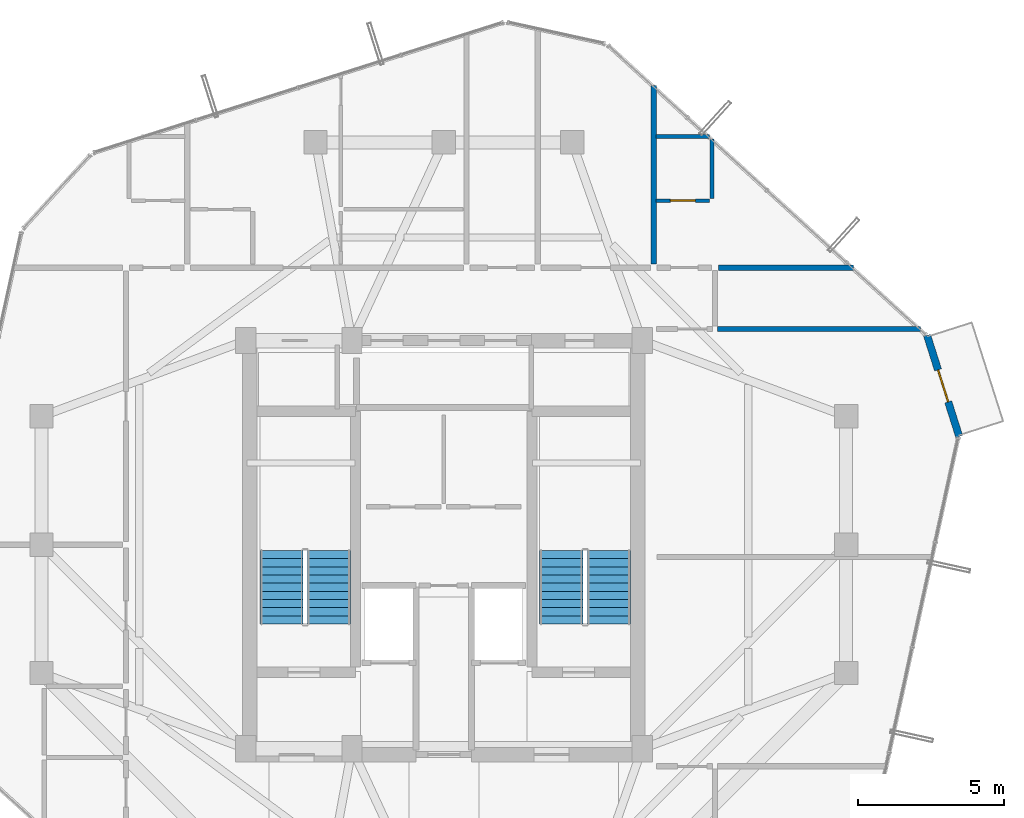
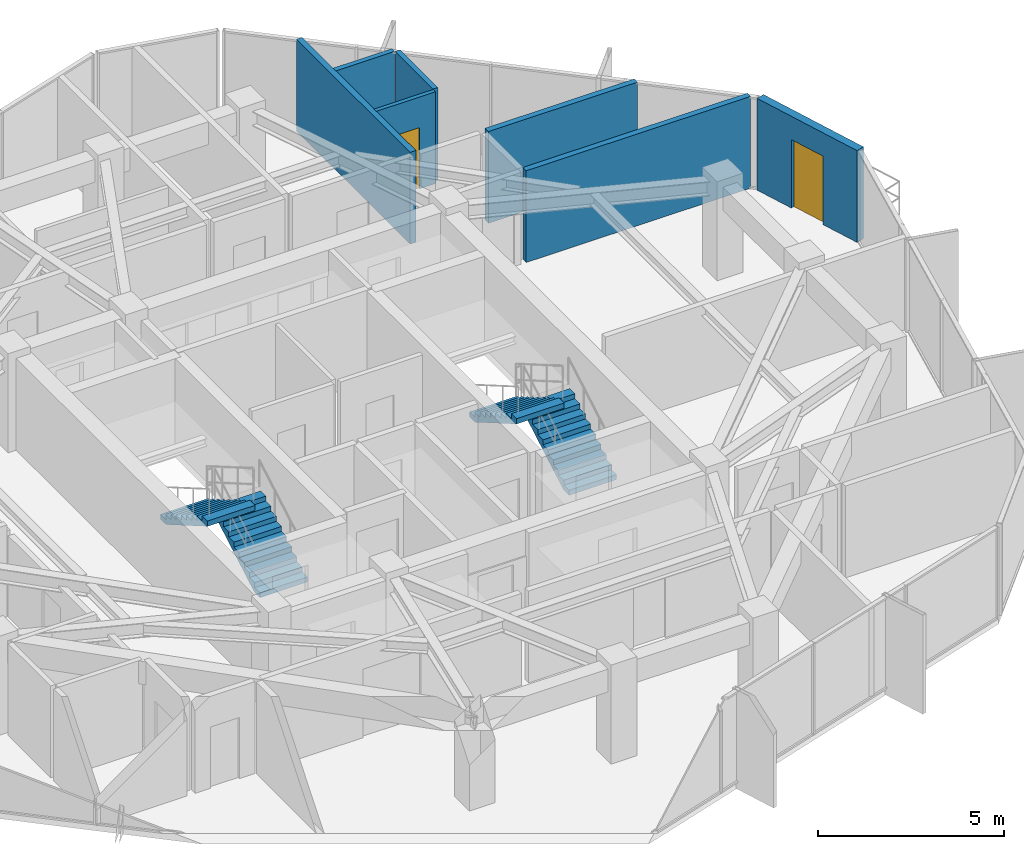
# One storey, part 26 of 28: 7 walls, 4 stair flights, 2 doors, 2 openings, 2 elements without a shape of their own.
"""IFC4 building model written with IfcOpenShell, lengths in metres."""

from ifc_helpers import new_model, si_unit, direction, frame, frame_2d, origin, place, context, subcontext, project, spatial, polyline, rectangle, outline, extrude, source, transform, mapped, material, layer, layer_set, type_object, element, fill, aggregate, save


model = new_model("IFC4")

# Units and contexts
model_context = context("Model", 3, precision=1e-05, world=origin(), true_north=direction((0.0, 1.0)))
body_context = subcontext(model_context, "Body", "Model", "MODEL_VIEW")
ifc_project = project(units=[si_unit("LENGTHUNIT", "METRE"), si_unit("AREAUNIT", "SQUARE_METRE"), si_unit("VOLUMEUNIT", "CUBIC_METRE"), si_unit("PLANEANGLEUNIT", "RADIAN"), si_unit("MASSUNIT", "GRAM", prefix="KILO")], contexts=[model_context])

# Site, building, storey
site_placement = place(None, origin())
site = spatial("IfcSite", under=ifc_project, at=site_placement, CompositionType="ELEMENT")
building_placement = place(site_placement, origin())
building = spatial("IfcBuilding", under=site, at=building_placement, Name="Veraguas Prism Commons", CompositionType="ELEMENT")
storey_placement = place(building_placement, frame((0.0, 0.0, 251.25)))
storey = spatial("IfcBuildingStorey", under=building, at=storey_placement, Name="L71", CompositionType="ELEMENT", Elevation=251.25)

# Walls
ifc_material_1 = material(Name="Autoclaved aerated masonry block 10 MPa", Category="masonry")
ifc_layer_1 = layer(ifc_material_1, 0.179931640625, Name="Corridor and Inter-Tenancy Partition 180", Category="masonry")
ifc_layer_set_1 = layer_set([ifc_layer_1], Name="Autoclaved aerated masonry block 10 MPa")
wall_type_1 = type_object("IfcWallType", Name="Corridor and Inter-Tenancy Partition 180", PredefinedType="PARTITIONING", material=ifc_layer_set_1)
wall_1_placement = place(storey_placement, frame((31.199951171875, 33.6201171875, 0.0), z_axis=(0.0, 0.0, 1.0), x_axis=(0.0, 1.0, 0.0)))
element("IfcWall", 1, at=wall_1_placement, inside=storey, type_object=wall_type_1, Name="WL-L71-PT006", PredefinedType="PARTITIONING", context=body_context, shape_type="SweptSolid", body=[
    extrude(rectangle(XDim=6.123291015625, YDim=0.179931640625, at=frame_2d((3.0615234375, 0.0))), origin(), (0.0, 0.0, 1.0), 3.014892578125),
])
wall_2_placement = place(storey_placement, frame((33.3798828125, 31.39990234375, 0.0), z_axis=(0.0, 0.0, 1.0), x_axis=(1.0, 0.0, 0.0)))
element("IfcWall", 2, at=wall_2_placement, inside=storey, type_object=wall_type_1, Name="WL-L71-PT034", PredefinedType="PARTITIONING", context=body_context, shape_type="SweptSolid", body=[
    extrude(rectangle(XDim=6.97021484375, YDim=0.179931640625, at=frame_2d((3.485107421875, 0.0))), origin(), (0.0, 0.0, 1.0), 3.014892578125),
])
wall_3_placement = place(storey_placement, frame((33.419921875, 33.5, 0.0), z_axis=(0.0, 0.0, 1.0), x_axis=(1.0, 0.0, 0.0)))
element("IfcWall", 3, at=wall_3_placement, inside=storey, type_object=wall_type_1, Name="WL-L71-PT042", PredefinedType="PARTITIONING", context=body_context, shape_type="SweptSolid", body=[
    extrude(rectangle(XDim=4.627197265625, YDim=0.179931640625, at=frame_2d((2.3134765625, 0.0))), origin(), (0.0, 0.0, 1.0), 3.014892578125),
])

# Wall, opening, door
ifc_material_2 = material(Name="Precast concrete C40/50", Category="concrete")
ifc_layer_2 = layer(ifc_material_2, 0.25, Name="External Loggia and Portal Wall 250", Category="concrete")
ifc_layer_set_2 = layer_set([ifc_layer_2], Name="Precast concrete C40/50")
wall_type_2 = type_object("IfcWallType", Name="External Loggia and Portal Wall 250", PredefinedType="SOLIDWALL", material=ifc_layer_set_2)
wall_4_placement = place(storey_placement, frame((41.678466796875, 27.71044921875, 0.0), z_axis=(0.0, 0.0, 1.0), x_axis=(-0.303026591546, 0.952982100995, 0.0)))
wall_4 = element("IfcWall", 4, at=wall_4_placement, inside=storey, type_object=wall_type_2, Name="Corner Loggia Wall L71-C1", PredefinedType="SOLIDWALL", context=body_context, shape_type="SweptSolid", body=[
    extrude(rectangle(XDim=3.642333984375, YDim=0.25, at=frame_2d((1.8212890625, 0.0))), origin(), (0.0, 0.0, 1.0), 3.014892578125),
])
opening_1_placement = place(wall_4_placement, frame((1.24609375, 0.0, 0.0)))
opening_1 = element("IfcOpeningElement", 5, at=opening_1_placement, cuts=wall_4, Name="Opening DR-10", PredefinedType="OPENING", context=body_context, shape_type="SweptSolid", body=[
    extrude(rectangle(XDim=1.14990234375, YDim=2.25, at=frame_2d((0.574951171875, 1.125))), frame((0.0, 0.135009765625, 0.0), z_axis=(0.0, -1.0, 0.0), x_axis=(1.0, 0.0, 0.0)), (0.0, 0.0, 1.0), 0.27001953125),
])
ifc_material_3 = material(Name="Anodised aluminium EN AW-6063 T6", Category="aluminium")
door_type_1 = type_object("IfcDoorType", Name="Glazed Loggia and Terrace Door 1150x2250", OperationType="NOTDEFINED", PredefinedType="DOOR", material=ifc_material_3)
shared_shape_1 = source(origin(), body_context, "Body", "SweptSolid", [
    extrude(rectangle(XDim=1.14990234375, YDim=2.25, at=frame_2d((0.574951171875, 1.125))), frame((0.0, 0.02490234375, 0.0), z_axis=(0.0, -1.0, 0.0), x_axis=(1.0, 0.0, 0.0)), (0.0, 0.0, 1.0), 0.050048828125),
])
door_1_placement = place(opening_1_placement, frame((1.14990234375, 0.0, 0.0), z_axis=(0.0, 0.0, 1.0), x_axis=(-1.0, 0.0, 0.0)))
door_1 = element("IfcDoor", 6, at=door_1_placement, inside=storey, type_object=door_type_1, Name="Recessed Loggia Door L71-C1", OperationType="SINGLE_SWING_LEFT", OverallHeight=2.25, OverallWidth=1.14990234375, PredefinedType="DOOR", context=body_context, shape_type="MappedRepresentation", body=[
    mapped(shared_shape_1, transform((0.0, 0.0, 0.0), scale=1.0)),
])
fill(opening_1, door_1)

ifc_material_4 = material(Name="Lightweight acoustic gypsum board")
ifc_layer_3 = layer(ifc_material_4, 0.125, Name="Internal Apartment Room Partition 125")
ifc_layer_set_3 = layer_set([ifc_layer_3], Name="Lightweight acoustic gypsum board")
wall_type_3 = type_object("IfcWallType", Name="Internal Apartment Room Partition 125", PredefinedType="PARTITIONING", material=ifc_layer_set_3)
wall_5_placement = place(storey_placement, frame((31.280029296875, 35.800048828125, 0.0), z_axis=(0.0, 0.0, 1.0), x_axis=(1.0, 0.0, 0.0)))
wall_5 = element("IfcWall", 7, at=wall_5_placement, inside=storey, type_object=wall_type_3, Name="WL-L71-PT044", PredefinedType="PARTITIONING", context=body_context, shape_type="SweptSolid", body=[
    extrude(rectangle(XDim=1.840087890625, YDim=0.125, at=frame_2d((0.919921875, 0.0))), origin(), (0.0, 0.0, 1.0), 3.014892578125),
])
opening_2_placement = place(wall_5_placement, frame((0.489990234375, 0.0, 0.0)))
opening_2 = element("IfcOpeningElement", 8, at=opening_2_placement, cuts=wall_5, Name="Opening DR-03", PredefinedType="OPENING", context=body_context, shape_type="SweptSolid", body=[
    extrude(rectangle(XDim=0.860107421875, YDim=2.010009765625, at=frame_2d((0.43017578125, 1.0048828125))), frame((0.0, 0.072509765625, 0.0), z_axis=(0.0, -1.0, 0.0), x_axis=(1.0, 0.0, 0.0)), (0.0, 0.0, 1.0), 0.14501953125),
])
ifc_material_5 = material(Name="Timber moisture-resistant leaf", Category="wood")
door_type_2 = type_object("IfcDoorType", Name="Internal Bathroom Door 860x2010", OperationType="NOTDEFINED", PredefinedType="DOOR", material=ifc_material_5)
shared_shape_2 = source(origin(), body_context, "Body", "SweptSolid", [
    extrude(rectangle(XDim=0.860107421875, YDim=2.010009765625, at=frame_2d((0.43017578125, 1.0048828125))), frame((0.0, 0.02490234375, 0.0), z_axis=(0.0, -1.0, 0.0), x_axis=(1.0, 0.0, 0.0)), (0.0, 0.0, 1.0), 0.050048828125),
])
door_2_placement = place(opening_2_placement, origin())
door_2 = element("IfcDoor", 9, at=door_2_placement, inside=storey, type_object=door_type_2, Name="Studio 71C Bathroom Door", OperationType="SINGLE_SWING_RIGHT", OverallHeight=2.010009765625, OverallWidth=0.860107421875, PredefinedType="DOOR", context=body_context, shape_type="MappedRepresentation", body=[
    mapped(shared_shape_2, transform((0.0, 0.0, 0.0), scale=1.0)),
])
fill(opening_2, door_2)

# Walls
ifc_layer_4 = layer(ifc_material_4, 0.14990234375, Name="Wet Room and Clinic Acoustic Partition 150")
ifc_layer_set_4 = layer_set([ifc_layer_4], Name="Lightweight acoustic gypsum board")
wall_type_4 = type_object("IfcWallType", Name="Wet Room and Clinic Acoustic Partition 150", PredefinedType="PARTITIONING", material=ifc_layer_set_4)
wall_6_placement = place(storey_placement, frame((31.280029296875, 38.0, 0.0), z_axis=(0.0, 0.0, 1.0), x_axis=(1.0, 0.0, 0.0)))
element("IfcWall", 10, at=wall_6_placement, inside=storey, type_object=wall_type_4, Name="WL-L71-PT045", PredefinedType="PARTITIONING", context=body_context, shape_type="SweptSolid", body=[
    extrude(rectangle(XDim=1.83203125, YDim=0.14990234375, at=frame_2d((0.916015625, 0.0))), origin(), (0.0, 0.0, 1.0), 3.014892578125),
])
wall_7_placement = place(storey_placement, frame((33.199951171875, 35.8798828125, 0.0), z_axis=(0.0, 0.0, 1.0), x_axis=(0.0, 1.0, 0.0)))
element("IfcWall", 11, at=wall_7_placement, inside=storey, type_object=wall_type_4, Name="WL-L71-PT046", PredefinedType="PARTITIONING", context=body_context, shape_type="SweptSolid", body=[
    extrude(rectangle(XDim=2.039794921875, YDim=0.14990234375, at=frame_2d((1.02001953125, 0.0))), origin(), (0.0, 0.0, 1.0), 3.014892578125),
])

# Stair, stair flights
ifc_material_6 = material(Name="Precast concrete C45/55", Category="concrete")
stair_type = type_object("IfcStairType", Name="Dogleg Core Stair 1480W 20R 05", PredefinedType="HALF_TURN_STAIR", material=ifc_material_6)
stair_1_placement = place(storey_placement, origin())
stair_1 = element("IfcStair", 12, at=stair_1_placement, inside=storey, type_object=stair_type, Name="Protected Exit Stair ST-01 L71", PredefinedType="HALF_TURN_STAIR")
stair_flight_type = type_object("IfcStairFlightType", Name="Precast Stair Flight 1480W 10R 05", PredefinedType="STRAIGHT", material=ifc_material_6)
stair_flight_1_placement = place(storey_placement, frame((20.06005859375, 21.280029296875, 0.0), z_axis=(0.0, 0.0, 1.0), x_axis=(0.0, 1.0, 0.0)))
stair_flight_1 = element("IfcStairFlight", 13, at=stair_flight_1_placement, type_object=stair_flight_type, Name="ST-05 Flight 1", NumberOfRisers=10, NumberOfTreads=9, PredefinedType="STRAIGHT", RiserHeight=0.1625, TreadLength=0.28, context=body_context, shape_type="SweptSolid", body=[
    extrude(outline(polyline([(0.0, 0.0), (0.0, 0.16259765625), (0.280029296875, 0.16259765625), (0.280029296875, 0.324951171875), (0.56005859375, 0.324951171875), (0.56005859375, 0.487548828125), (0.840087890625, 0.487548828125), (0.840087890625, 0.64990234375), (1.1201171875, 0.64990234375), (1.1201171875, 0.8125), (1.39990234375, 0.8125), (1.39990234375, 0.97509765625), (1.679931640625, 0.97509765625), (1.679931640625, 1.137451171875), (1.9599609375, 1.137451171875), (1.9599609375, 1.300048828125), (2.239990234375, 1.300048828125), (2.239990234375, 1.46240234375), (2.52001953125, 1.46240234375), (2.52001953125, 1.625), (2.52001953125, 1.2890625), (0.298583984375, 0.0), (0.0, 0.0)])), frame((0.0, 0.739990234375, 0.0), z_axis=(0.0, -1.0, 0.0), x_axis=(1.0, 0.0, 0.0)), (0.0, 0.0, 1.0), 1.47998046875),
])
stair_flight_2_placement = place(storey_placement, frame((18.429931640625, 23.800048828125, 1.625), z_axis=(0.0, 0.0, 1.0), x_axis=(0.0, -1.0, 0.0)))
stair_flight_2 = element("IfcStairFlight", 14, at=stair_flight_2_placement, type_object=stair_flight_type, Name="ST-05 Flight 2", NumberOfRisers=10, NumberOfTreads=9, PredefinedType="STRAIGHT", RiserHeight=0.1625, TreadLength=0.28, context=body_context, shape_type="SweptSolid", body=[
    extrude(outline(polyline([(0.0, 0.0), (0.0, 0.16259765625), (0.280029296875, 0.16259765625), (0.280029296875, 0.324951171875), (0.56005859375, 0.324951171875), (0.56005859375, 0.487548828125), (0.840087890625, 0.487548828125), (0.840087890625, 0.64990234375), (1.1201171875, 0.64990234375), (1.1201171875, 0.8125), (1.39990234375, 0.8125), (1.39990234375, 0.97509765625), (1.679931640625, 0.97509765625), (1.679931640625, 1.137451171875), (1.9599609375, 1.137451171875), (1.9599609375, 1.300048828125), (2.239990234375, 1.300048828125), (2.239990234375, 1.46240234375), (2.52001953125, 1.46240234375), (2.52001953125, 1.625), (2.52001953125, 1.2890625), (0.298583984375, 0.0), (0.0, 0.0)])), frame((0.0, 0.739990234375, 0.0), z_axis=(0.0, -1.0, 0.0), x_axis=(1.0, 0.0, 0.0)), (0.0, 0.0, 1.0), 1.47998046875),
])
aggregate(stair_1, [stair_flight_1, stair_flight_2])

stair_2_placement = place(storey_placement, origin())
stair_2 = element("IfcStair", 15, at=stair_2_placement, inside=storey, type_object=stair_type, Name="Protected Exit Stair ST-02 L71", PredefinedType="HALF_TURN_STAIR")
stair_flight_3_placement = place(storey_placement, frame((29.659912109375, 21.280029296875, 0.0), z_axis=(0.0, 0.0, 1.0), x_axis=(0.0, 1.0, 0.0)))
stair_flight_3 = element("IfcStairFlight", 16, at=stair_flight_3_placement, type_object=stair_flight_type, Name="ST-05 Flight 1", NumberOfRisers=10, NumberOfTreads=9, PredefinedType="STRAIGHT", RiserHeight=0.1625, TreadLength=0.28, context=body_context, shape_type="SweptSolid", body=[
    extrude(outline(polyline([(0.0, 0.0), (0.0, 0.16259765625), (0.280029296875, 0.16259765625), (0.280029296875, 0.324951171875), (0.56005859375, 0.324951171875), (0.56005859375, 0.487548828125), (0.840087890625, 0.487548828125), (0.840087890625, 0.64990234375), (1.1201171875, 0.64990234375), (1.1201171875, 0.8125), (1.39990234375, 0.8125), (1.39990234375, 0.97509765625), (1.679931640625, 0.97509765625), (1.679931640625, 1.137451171875), (1.9599609375, 1.137451171875), (1.9599609375, 1.300048828125), (2.239990234375, 1.300048828125), (2.239990234375, 1.46240234375), (2.52001953125, 1.46240234375), (2.52001953125, 1.625), (2.52001953125, 1.2890625), (0.298583984375, 0.0), (0.0, 0.0)])), frame((0.0, 0.739990234375, 0.0), z_axis=(0.0, -1.0, 0.0), x_axis=(1.0, 0.0, 0.0)), (0.0, 0.0, 1.0), 1.47998046875),
])
stair_flight_4_placement = place(storey_placement, frame((28.030029296875, 23.800048828125, 1.625), z_axis=(0.0, 0.0, 1.0), x_axis=(0.0, -1.0, 0.0)))
stair_flight_4 = element("IfcStairFlight", 17, at=stair_flight_4_placement, type_object=stair_flight_type, Name="ST-05 Flight 2", NumberOfRisers=10, NumberOfTreads=9, PredefinedType="STRAIGHT", RiserHeight=0.1625, TreadLength=0.28, context=body_context, shape_type="SweptSolid", body=[
    extrude(outline(polyline([(0.0, 0.0), (0.0, 0.16259765625), (0.280029296875, 0.16259765625), (0.280029296875, 0.324951171875), (0.56005859375, 0.324951171875), (0.56005859375, 0.487548828125), (0.840087890625, 0.487548828125), (0.840087890625, 0.64990234375), (1.1201171875, 0.64990234375), (1.1201171875, 0.8125), (1.39990234375, 0.8125), (1.39990234375, 0.97509765625), (1.679931640625, 0.97509765625), (1.679931640625, 1.137451171875), (1.9599609375, 1.137451171875), (1.9599609375, 1.300048828125), (2.239990234375, 1.300048828125), (2.239990234375, 1.46240234375), (2.52001953125, 1.46240234375), (2.52001953125, 1.625), (2.52001953125, 1.2890625), (0.298583984375, 0.0), (0.0, 0.0)])), frame((0.0, 0.739990234375, 0.0), z_axis=(0.0, -1.0, 0.0), x_axis=(1.0, 0.0, 0.0)), (0.0, 0.0, 1.0), 1.47998046875),
])
aggregate(stair_2, [stair_flight_3, stair_flight_4])

save(model, "model.ifc")
